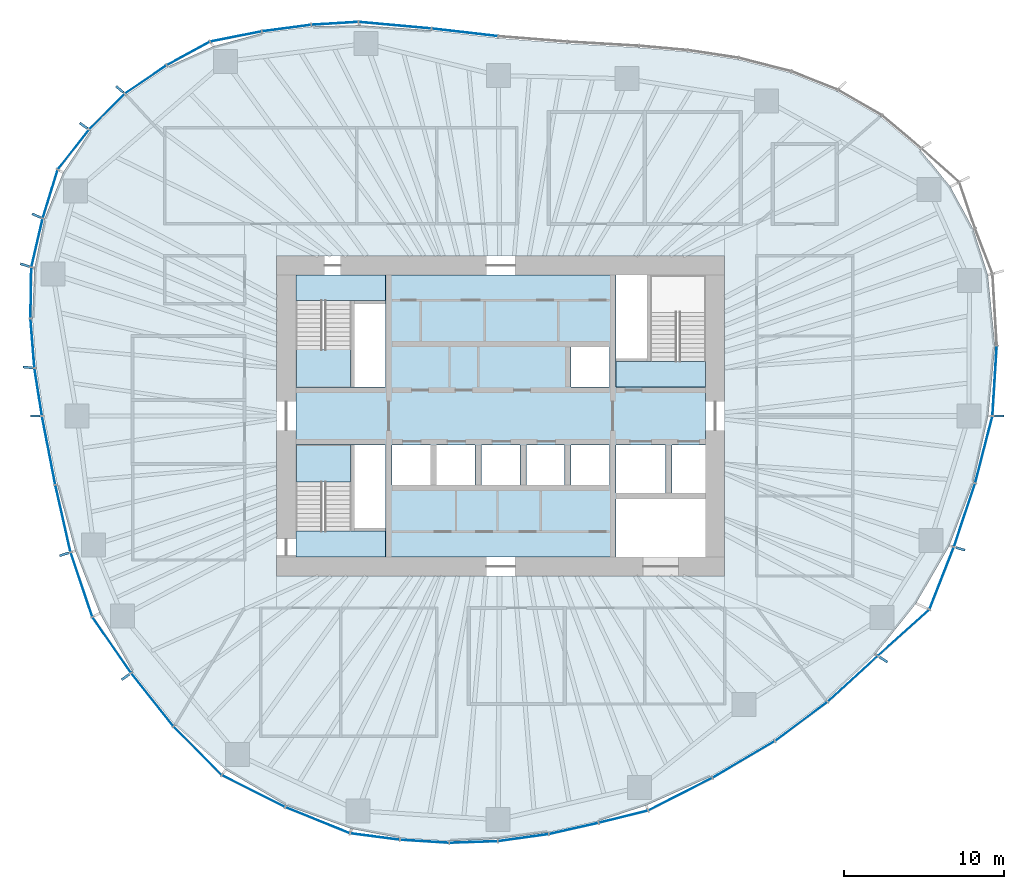
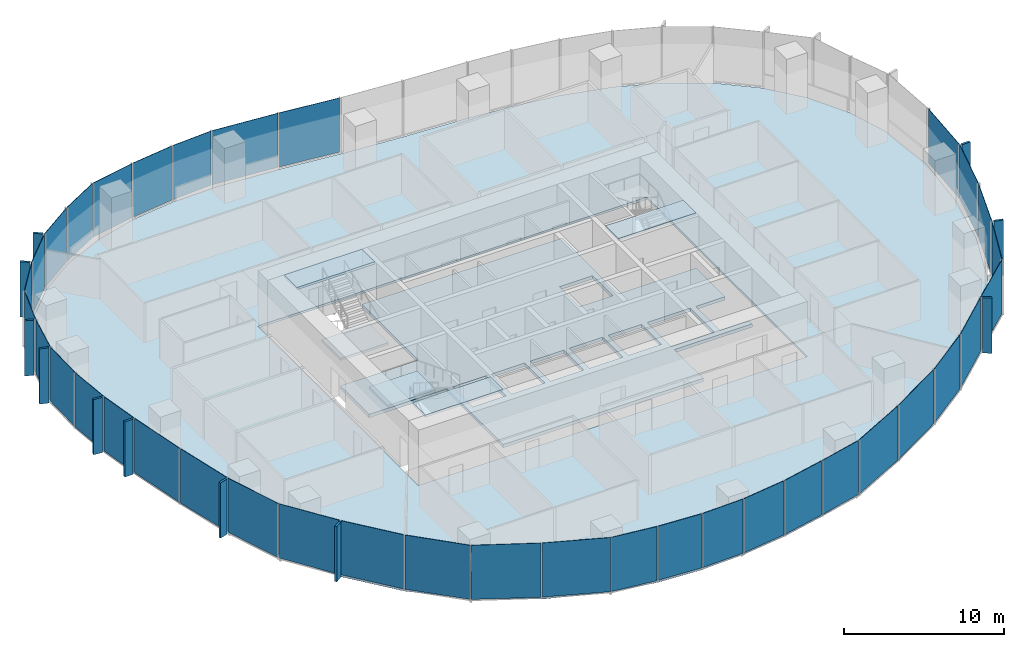
# One storey, part 7 of 18: 48 plates, 7 slabs, 19 elements without a shape of their own.
"""IFC4 building model written with IfcOpenShell, lengths in metres."""

import ifcopenshell
import ifcopenshell.guid

model = None  # the IFC model being written
_history = None  # IfcOwnerHistory: only IFC2X3 demands one
_inside = {}  # id of a spatial element -> (the spatial element, [elements in it])
_under = {}  # id of a project, library or spatial element -> (it, [spatial elements below it])
_declared = {}  # id of a project -> (the project, [libraries it declares])
_typed = {}  # id of a type object -> (the type object, [elements of that type])
_made_of = {}  # id of a material, layer set ... -> (it, [elements and type objects made of it])


def new_model(schema):
    """Start an empty IFC model of exactly this schema.

    Asked for "IFC4X3", IfcOpenShell would pick the latest addendum, in which some entities
    have other attributes; the version numbers below select the first issue.
    IFC2X3 requires an IfcOwnerHistory on every rooted entity: one is made here for all.
    """
    global model, _history
    if schema == "IFC4X3":
        model = ifcopenshell.file(schema_version=(4, 3, 0, 0))
    else:
        model = ifcopenshell.file(schema=schema)
    _inside.clear()
    _under.clear()
    _declared.clear()
    _typed.clear()
    _made_of.clear()
    _history = None
    if model.schema == "IFC2X3":
        org = make("IfcOrganization", Name="unknown")
        user = make(
            "IfcPersonAndOrganization",
            ThePerson=make("IfcPerson", FamilyName="unknown"),
            TheOrganization=org,
        )
        app = make(
            "IfcApplication",
            ApplicationDeveloper=org,
            Version="unknown",
            ApplicationFullName="unknown",
            ApplicationIdentifier="unknown",
        )
        _history = make(
            "IfcOwnerHistory",
            OwningUser=user,
            OwningApplication=app,
            ChangeAction="ADDED",
            CreationDate=0,
        )
    return model


def make(cls, **values):
    """One entity of the class cls with the attributes given. An attribute that is None is left unset."""
    return model.create_entity(
        cls, **{name: value for name, value in values.items() if value is not None}
    )


def rooted(cls, **values):
    """An entity with a GlobalId (a new one), such as an element, a storey or a relation."""
    return make(cls, GlobalId=ifcopenshell.guid.new(), OwnerHistory=_history, **values)


def si_unit(unit_type, name, prefix=None):
    """IfcSIUnit, for example si_unit("LENGTHUNIT", "METRE", prefix="MILLI")."""
    return make("IfcSIUnit", UnitType=unit_type, Prefix=prefix, Name=name)


def assignment(units):
    """IfcUnitAssignment: the units of a project."""
    return None if units is None else make("IfcUnitAssignment", Units=units)


def point(xyz):
    """IfcCartesianPoint."""
    return None if xyz is None else make("IfcCartesianPoint", Coordinates=xyz)


def direction(xyz):
    """IfcDirection."""
    return None if xyz is None else make("IfcDirection", DirectionRatios=xyz)


def frame(location, z_axis=None, x_axis=None):
    """IfcAxis2Placement3D, a coordinate frame: its origin and axes. An axis left out is left unset."""
    return make(
        "IfcAxis2Placement3D",
        Location=point(location),
        Axis=direction(z_axis),
        RefDirection=direction(x_axis),
    )


def frame_2d(location, x_axis=None):
    """IfcAxis2Placement2D, a coordinate frame in the plane: its origin and x axis."""
    return make(
        "IfcAxis2Placement2D", Location=point(location), RefDirection=direction(x_axis)
    )


def origin():
    """The frame at (0, 0, 0) with its axes left unset."""
    return frame((0.0, 0.0, 0.0))


def origin_2d():
    """The frame at (0, 0) in the plane with its x axis left unset."""
    return frame_2d((0.0, 0.0))


def place(relative_to, where):
    """IfcLocalPlacement: puts the frame where relative to a parent placement (None: the world)."""
    return make(
        "IfcLocalPlacement", PlacementRelTo=relative_to, RelativePlacement=where
    )


def context(
    kind, dimensions, precision=None, world=None, true_north=None, identifier=None
):
    """IfcGeometricRepresentationContext, for example the 3D "Model" context."""
    return make(
        "IfcGeometricRepresentationContext",
        ContextIdentifier=identifier,
        ContextType=kind,
        CoordinateSpaceDimension=dimensions,
        Precision=precision,
        WorldCoordinateSystem=world,
        TrueNorth=true_north,
    )


def subcontext(parent, identifier, kind, view, scale=None):
    """IfcGeometricRepresentationSubContext, for example "Body" below "Model"."""
    return make(
        "IfcGeometricRepresentationSubContext",
        ContextIdentifier=identifier,
        ContextType=kind,
        ParentContext=parent,
        TargetScale=scale,
        TargetView=view,
    )


def project(units=None, contexts=None):
    """IfcProject with its units and contexts."""
    return rooted(
        "IfcProject",
        Name="project",
        RepresentationContexts=contexts,
        UnitsInContext=assignment(units),
    )


def spatial(cls, under=None, at=None, **own):
    """A site, building, storey or space (cls), placed at a placement, below another one or the project."""
    s = rooted(cls, ObjectPlacement=at, **own)
    if under is not None:
        _under.setdefault(under.id(), (under, []))[1].append(s)
    return s


def polyline(points):
    """IfcPolyline through the points."""
    return make("IfcPolyline", Points=[point(p) for p in points])


def profile(cls, at=None, kind="AREA", **sizes):
    """A parametric profile (cls). Its sizes go by their IFC names, for example OverallWidth=200.0."""
    return make(cls, ProfileType=kind, Position=at, **sizes)


def rectangle(**sizes):
    """IfcRectangleProfileDef."""
    return profile("IfcRectangleProfileDef", **sizes)


def outline(outer, holes=None, kind="AREA"):
    """IfcArbitraryClosedProfileDef: a profile drawn as a closed curve; with holes, ...WithVoids."""
    if holes is None:
        return make("IfcArbitraryClosedProfileDef", ProfileType=kind, OuterCurve=outer)
    return make(
        "IfcArbitraryProfileDefWithVoids",
        ProfileType=kind,
        OuterCurve=outer,
        InnerCurves=holes,
    )


def extrude(swept, where, along, depth):
    """IfcExtrudedAreaSolid: the profile swept, set in the frame where, extruded along a direction by depth."""
    return make(
        "IfcExtrudedAreaSolid",
        SweptArea=swept,
        Position=where,
        ExtrudedDirection=direction(along),
        Depth=depth,
    )


def shape(context_of_items, identifier, shape_type, items):
    """IfcShapeRepresentation: the items that make up one representation, for example the "Body"."""
    return make(
        "IfcShapeRepresentation",
        ContextOfItems=context_of_items,
        RepresentationIdentifier=identifier,
        RepresentationType=shape_type,
        Items=items,
    )


def material(Name=None, Category=None):
    """IfcMaterial."""
    return make("IfcMaterial", Name=Name, Category=Category)


def layer(
    of_material, thickness, ventilated=None, Name=None, Category=None, Priority=None
):
    """IfcMaterialLayer: one layer of a wall or slab, of a material (None: an air gap)."""
    return make(
        "IfcMaterialLayer",
        Material=of_material,
        LayerThickness=thickness,
        IsVentilated=ventilated,
        Name=Name,
        Category=Category,
        Priority=Priority,
    )


def layer_set(layers, Name=None):
    """IfcMaterialLayerSet."""
    return make("IfcMaterialLayerSet", MaterialLayers=layers, LayerSetName=Name)


def made_of(thing, what):
    """Note that an element or type object is made of a material, layer set ...; save() writes the relation."""
    if what is not None:
        _made_of.setdefault(what.id(), (what, []))[1].append(thing)
    return thing


def type_object(cls, material=None, **own):
    """A type object (cls), such as IfcWallType, which elements share."""
    return made_of(rooted(cls, **own), material)


def element(
    cls,
    number,
    at=None,
    inside=None,
    cuts=None,
    type_object=None,
    material=None,
    context=None,
    identifier="Body",
    shape_type=None,
    held_by="IfcProductDefinitionShape",
    body=None,
    shapes=None,
    **own,
):
    """One element of the class cls, such as IfcWall. Its Tag is "e" and its number.

    at: its placement. inside: the storey or other place that contains it. cuts: it is an
    opening in that element (IfcRelVoidsElement). A single representation is given by context,
    identifier, shape_type and body (its items); several are given by shapes. held_by: the class
    of the entity that holds the representations. save() writes the other relations.
    """
    e = rooted(cls, Tag="e%d" % number, ObjectPlacement=at, **own)
    if body is not None:
        shapes = [shape(context, identifier, shape_type, body)]
    if shapes is not None:
        e.Representation = make(held_by, Representations=shapes)
    if inside is not None:
        _inside.setdefault(inside.id(), (inside, []))[1].append(e)
    if cuts is not None:
        rooted(
            "IfcRelVoidsElement", RelatingBuildingElement=cuts, RelatedOpeningElement=e
        )
    if type_object is not None:
        _typed.setdefault(type_object.id(), (type_object, []))[1].append(e)
    return made_of(e, material)


def aggregate(whole, parts):
    """IfcRelAggregates: a whole, such as a stair, and the parts it consists of."""
    return rooted("IfcRelAggregates", RelatingObject=whole, RelatedObjects=parts)


def save(model, path):
    """Write the relations noted so far, then the file.

    IfcRelAggregates (storeys below a building ...), IfcRelContainedInSpatialStructure (elements
    in a storey), IfcRelDefinesByType, IfcRelAssociatesMaterial and IfcRelDeclares: one each for
    every whole, place, type object, material and project.
    """
    for whole, parts in _under.values():
        aggregate(whole, parts)
    for where, things in _inside.values():
        rooted(
            "IfcRelContainedInSpatialStructure",
            RelatedElements=things,
            RelatingStructure=where,
        )
    for kind, things in _typed.values():
        rooted("IfcRelDefinesByType", RelatedObjects=things, RelatingType=kind)
    for what, things in _made_of.values():
        rooted("IfcRelAssociatesMaterial", RelatedObjects=things, RelatingMaterial=what)
    for by, libraries in _declared.values():
        rooted("IfcRelDeclares", RelatingContext=by, RelatedDefinitions=libraries)
    model.write(path)


model = new_model("IFC4")

# Units and contexts
model_context = context("Model", 3, precision=1e-05, world=origin(), true_north=direction((0.0, 1.0)))
body_context = subcontext(model_context, "Body", "Model", "MODEL_VIEW")
ifc_project = project(units=[si_unit("LENGTHUNIT", "METRE"), si_unit("AREAUNIT", "SQUARE_METRE"), si_unit("VOLUMEUNIT", "CUBIC_METRE"), si_unit("PLANEANGLEUNIT", "RADIAN"), si_unit("MASSUNIT", "GRAM", prefix="KILO")], contexts=[model_context])

# Site, building, storey
site_placement = place(None, origin())
site = spatial("IfcSite", under=ifc_project, at=site_placement, CompositionType="ELEMENT")
building_placement = place(site_placement, origin())
building = spatial("IfcBuilding", under=site, at=building_placement, Name="Ghaith Harvest Tower", CompositionType="ELEMENT")
storey_placement = place(building_placement, frame((0.0, 0.0, 130.199951171875)))
storey = spatial("IfcBuildingStorey", under=building, at=storey_placement, Name="L27", CompositionType="ELEMENT", Elevation=130.199951171875)

# Curtain wall, plate
ifc_material_1 = material(Name="Black anodised aluminium and fritted glass", Category="aluminium")
curtain_wall_type = type_object("IfcCurtainWallType", Name="CW-L CURTAIN WALL", PredefinedType="NOTDEFINED", material=ifc_material_1)
curtain_wall_1_placement = place(storey_placement, origin())
curtain_wall_1 = element("IfcCurtainWall", 1, at=curtain_wall_1_placement, inside=storey, type_object=curtain_wall_type, Name="Curtain wall CW-L bay 01 L27", PredefinedType="NOTDEFINED")
ifc_material_2 = material(Name="Glass, dark solar-control fritted double glazed unit", Category="glass")
ifc_layer_1 = layer(ifc_material_2, 0.031982421875)
ifc_layer_set_1 = layer_set([ifc_layer_1], Name="CW-L VISION PANEL")
plate_type_1 = type_object("IfcPlateType", Name="CW-L VISION PANEL", PredefinedType="CURTAIN_PANEL", material=ifc_layer_set_1)
plate_1_placement = place(storey_placement, frame((30.86376953125, 2.19482421875, 0.080078125), z_axis=(0.0, 0.0, 1.0), x_axis=(0.061379619468, 0.99811449359, 0.0)))
plate_1 = element("IfcPlate", 2, at=plate_1_placement, type_object=plate_type_1, Name="CW-L glass unit 1 bay 01 L27", PredefinedType="CURTAIN_PANEL", context=body_context, shape_type="SweptSolid", body=[
    extrude(rectangle(XDim=4.318115234375, YDim=0.031982421875, at=origin_2d()), origin(), (0.0, 0.0, 1.0), 4.1201171875),
])
aggregate(curtain_wall_1, [plate_1])

# Curtain wall, plates
curtain_wall_2_placement = place(storey_placement, origin())
curtain_wall_2 = element("IfcCurtainWall", 3, at=curtain_wall_2_placement, inside=storey, type_object=curtain_wall_type, Name="Curtain wall CW-L bay 06 L27", PredefinedType="NOTDEFINED")
plate_2_placement = place(storey_placement, frame((-2.24267578125, 23.968505859375, 0.080078125), z_axis=(0.0, 0.0, 1.0), x_axis=(-0.993477024646, 0.114032458099, 0.0)))
plate_2 = element("IfcPlate", 4, at=plate_2_placement, type_object=plate_type_1, Name="CW-L glass unit 1 bay 06 L27", PredefinedType="CURTAIN_PANEL", context=body_context, shape_type="SweptSolid", body=[
    extrude(rectangle(XDim=4.10791015625, YDim=0.031982421875, at=origin_2d()), origin(), (0.0, 0.0, 1.0), 4.1201171875),
])
plate_3_placement = place(storey_placement, frame((-6.607666015625, 24.4140625, 0.080078125), z_axis=(0.0, 0.0, 1.0), x_axis=(-0.995928776302, 0.090143621701, 0.0)))
plate_3 = element("IfcPlate", 5, at=plate_3_placement, type_object=plate_type_1, Name="CW-L glass unit 2 bay 06 L27", PredefinedType="CURTAIN_PANEL", context=body_context, shape_type="SweptSolid", body=[
    extrude(rectangle(XDim=4.508056640625, YDim=0.031982421875, at=origin_2d()), origin(), (0.0, 0.0, 1.0), 4.1201171875),
])
aggregate(curtain_wall_2, [plate_2, plate_3])

curtain_wall_3_placement = place(storey_placement, origin())
curtain_wall_3 = element("IfcCurtainWall", 6, at=curtain_wall_3_placement, inside=storey, type_object=curtain_wall_type, Name="Curtain wall CW-L bay 07 L27", PredefinedType="NOTDEFINED")
plate_4_placement = place(storey_placement, frame((-10.36669921875, 24.5302734375, 0.080078125), z_axis=(0.0, 0.0, 1.0), x_axis=(-0.998119199641, -0.061303044853, 0.0)))
plate_4 = element("IfcPlate", 7, at=plate_4_placement, type_object=plate_type_1, Name="CW-L glass unit 1 bay 07 L27", PredefinedType="CURTAIN_PANEL", context=body_context, shape_type="SweptSolid", body=[
    extrude(rectangle(XDim=2.874267578125, YDim=0.031982421875, at=origin_2d()), origin(), (0.0, 0.0, 1.0), 4.1201171875),
])
plate_5_placement = place(storey_placement, frame((-13.382568359375, 24.23486328125, 0.080078125), z_axis=(0.0, 0.0, 1.0), x_axis=(-0.991285895369, -0.131728029071, 0.0)))
plate_5 = element("IfcPlate", 8, at=plate_5_placement, type_object=plate_type_1, Name="CW-L glass unit 2 bay 07 L27", PredefinedType="CURTAIN_PANEL", context=body_context, shape_type="SweptSolid", body=[
    extrude(rectangle(XDim=3.02978515625, YDim=0.031982421875, at=origin_2d()), origin(), (0.0, 0.0, 1.0), 4.1201171875),
])
plate_6_placement = place(storey_placement, frame((-16.54443359375, 23.7099609375, 0.080078125), z_axis=(0.0, 0.0, 1.0), x_axis=(-0.981037550101, -0.193817763096, 0.0)))
plate_6 = element("IfcPlate", 9, at=plate_6_placement, type_object=plate_type_1, Name="CW-L glass unit 3 bay 07 L27", PredefinedType="CURTAIN_PANEL", context=body_context, shape_type="SweptSolid", body=[
    extrude(rectangle(XDim=3.22412109375, YDim=0.031982421875, at=origin_2d()), origin(), (0.0, 0.0, 1.0), 4.1201171875),
])
aggregate(curtain_wall_3, [plate_4, plate_5, plate_6])

curtain_wall_4_placement = place(storey_placement, origin())
curtain_wall_4 = element("IfcCurtainWall", 10, at=curtain_wall_4_placement, inside=storey, type_object=curtain_wall_type, Name="Curtain wall CW-L bay 08 L27", PredefinedType="NOTDEFINED")
plate_7_placement = place(storey_placement, frame((-19.520263671875, 22.650634765625, 0.080078125), z_axis=(0.0, 0.0, 1.0), x_axis=(-0.877940384665, -0.478769966659, 0.0)))
plate_7 = element("IfcPlate", 11, at=plate_7_placement, type_object=plate_type_1, Name="CW-L glass unit 1 bay 08 L27", PredefinedType="CURTAIN_PANEL", context=body_context, shape_type="SweptSolid", body=[
    extrude(rectangle(XDim=3.007080078125, YDim=0.031982421875, at=origin_2d()), origin(), (0.0, 0.0, 1.0), 4.1201171875),
])
plate_8_placement = place(storey_placement, frame((-22.182373046875, 21.025390625, 0.080078125), z_axis=(0.0, 0.0, 1.0), x_axis=(-0.827674847773, -0.561207935051, 0.0)))
plate_8 = element("IfcPlate", 12, at=plate_8_placement, type_object=plate_type_1, Name="CW-L glass unit 2 bay 08 L27", PredefinedType="CURTAIN_PANEL", context=body_context, shape_type="SweptSolid", body=[
    extrude(rectangle(XDim=3.078369140625, YDim=0.031982421875, at=origin_2d()), origin(), (0.0, 0.0, 1.0), 4.1201171875),
])
plate_9_placement = place(storey_placement, frame((-24.603759765625, 19.01708984375, 0.080078125), z_axis=(0.0, 0.0, 1.0), x_axis=(-0.704613943896, -0.709590861037, 0.0)))
plate_9 = element("IfcPlate", 13, at=plate_9_placement, type_object=plate_type_1, Name="CW-L glass unit 3 bay 08 L27", PredefinedType="CURTAIN_PANEL", context=body_context, shape_type="SweptSolid", body=[
    extrude(rectangle(XDim=3.0830078125, YDim=0.031982421875, at=origin_2d()), origin(), (0.0, 0.0, 1.0), 4.1201171875),
])
aggregate(curtain_wall_4, [plate_7, plate_8, plate_9])

curtain_wall_5_placement = place(storey_placement, origin())
curtain_wall_5 = element("IfcCurtainWall", 14, at=curtain_wall_5_placement, inside=storey, type_object=curtain_wall_type, Name="Curtain wall CW-L bay 09 L27", PredefinedType="NOTDEFINED")
plate_10_placement = place(storey_placement, frame((-26.69873046875, 16.644775390625, 0.080078125), z_axis=(0.0, 0.0, 1.0), x_axis=(-0.617140806324, -0.786852734106, 0.0)))
plate_10 = element("IfcPlate", 15, at=plate_10_placement, type_object=plate_type_1, Name="CW-L glass unit 1 bay 09 L27", PredefinedType="CURTAIN_PANEL", context=body_context, shape_type="SweptSolid", body=[
    extrude(rectangle(XDim=3.09765625, YDim=0.031982421875, at=origin_2d()), origin(), (0.0, 0.0, 1.0), 4.1201171875),
])
plate_11_placement = place(storey_placement, frame((-28.14794921875, 13.869140625, 0.080078125), z_axis=(0.0, 0.0, 1.0), x_axis=(-0.293802674087, -0.955866093498, 0.0)))
plate_11 = element("IfcPlate", 16, at=plate_11_placement, type_object=plate_type_1, Name="CW-L glass unit 2 bay 09 L27", PredefinedType="CURTAIN_PANEL", context=body_context, shape_type="SweptSolid", body=[
    extrude(rectangle(XDim=3.111328125, YDim=0.031982421875, at=origin_2d()), origin(), (0.0, 0.0, 1.0), 4.1201171875),
])
plate_12_placement = place(storey_placement, frame((-28.9716796875, 10.819091796875, 0.080078125), z_axis=(0.0, 0.0, 1.0), x_axis=(-0.226698962458, -0.973964876379, 0.0)))
plate_12 = element("IfcPlate", 17, at=plate_12_placement, type_object=plate_type_1, Name="CW-L glass unit 3 bay 09 L27", PredefinedType="CURTAIN_PANEL", context=body_context, shape_type="SweptSolid", body=[
    extrude(rectangle(XDim=3.05126953125, YDim=0.031982421875, at=origin_2d()), origin(), (0.0, 0.0, 1.0), 4.1201171875),
])
aggregate(curtain_wall_5, [plate_10, plate_11, plate_12])

curtain_wall_6_placement = place(storey_placement, origin())
curtain_wall_6 = element("IfcCurtainWall", 18, at=curtain_wall_6_placement, inside=storey, type_object=curtain_wall_type, Name="Curtain wall CW-L bay 10 L27", PredefinedType="NOTDEFINED")
plate_13_placement = place(storey_placement, frame((-29.352294921875, 7.695068359375, 0.080078125), z_axis=(0.0, 0.0, 1.0), x_axis=(-0.016034106433, -0.999871445452, 0.0)))
plate_13 = element("IfcPlate", 19, at=plate_13_placement, type_object=plate_type_1, Name="CW-L glass unit 1 bay 10 L27", PredefinedType="CURTAIN_PANEL", context=body_context, shape_type="SweptSolid", body=[
    extrude(rectangle(XDim=3.118408203125, YDim=0.031982421875, at=origin_2d()), origin(), (0.0, 0.0, 1.0), 4.1201171875),
])
plate_14_placement = place(storey_placement, frame((-29.25439453125, 4.54345703125, 0.080078125), z_axis=(0.0, 0.0, 1.0), x_axis=(0.079273335663, -0.996852917061, 0.0)))
plate_14 = element("IfcPlate", 20, at=plate_14_placement, type_object=plate_type_1, Name="CW-L glass unit 2 bay 10 L27", PredefinedType="CURTAIN_PANEL", context=body_context, shape_type="SweptSolid", body=[
    extrude(rectangle(XDim=3.035400390625, YDim=0.031982421875, at=origin_2d()), origin(), (0.0, 0.0, 1.0), 4.1201171875),
])
plate_15_placement = place(storey_placement, frame((-28.896240234375, 1.495361328125, 0.080078125), z_axis=(0.0, 0.0, 1.0), x_axis=(0.155172175389, -0.987887440949, 0.0)))
plate_15 = element("IfcPlate", 21, at=plate_15_placement, type_object=plate_type_1, Name="CW-L glass unit 3 bay 10 L27", PredefinedType="CURTAIN_PANEL", context=body_context, shape_type="SweptSolid", body=[
    extrude(rectangle(XDim=2.947265625, YDim=0.031982421875, at=origin_2d()), origin(), (0.0, 0.0, 1.0), 4.1201171875),
])
aggregate(curtain_wall_6, [plate_13, plate_14, plate_15])

curtain_wall_7_placement = place(storey_placement, origin())
curtain_wall_7 = element("IfcCurtainWall", 22, at=curtain_wall_7_placement, inside=storey, type_object=curtain_wall_type, Name="Curtain wall CW-L bay 11 L27", PredefinedType="NOTDEFINED")
plate_16_placement = place(storey_placement, frame((-28.24462890625, -2.152099609375, 0.080078125), z_axis=(0.0, 0.0, 1.0), x_axis=(0.190044913274, -0.981775397399, 0.0)))
plate_16 = element("IfcPlate", 23, at=plate_16_placement, type_object=plate_type_1, Name="CW-L glass unit 1 bay 11 L27", PredefinedType="CURTAIN_PANEL", context=body_context, shape_type="SweptSolid", body=[
    extrude(rectangle(XDim=4.303955078125, YDim=0.031982421875, at=origin_2d()), origin(), (0.0, 0.0, 1.0), 4.1201171875),
])
plate_17_placement = place(storey_placement, frame((-27.351806640625, -6.41064453125, 0.080078125), z_axis=(0.0, 0.0, 1.0), x_axis=(0.220483469245, -0.975390711351, 0.0)))
plate_17 = element("IfcPlate", 24, at=plate_17_placement, type_object=plate_type_1, Name="CW-L glass unit 2 bay 11 L27", PredefinedType="CURTAIN_PANEL", context=body_context, shape_type="SweptSolid", body=[
    extrude(rectangle(XDim=4.239501953125, YDim=0.031982421875, at=origin_2d()), origin(), (0.0, 0.0, 1.0), 4.1201171875),
])
aggregate(curtain_wall_7, [plate_16, plate_17])

curtain_wall_8_placement = place(storey_placement, origin())
curtain_wall_8 = element("IfcCurtainWall", 25, at=curtain_wall_8_placement, inside=storey, type_object=curtain_wall_type, Name="Curtain wall CW-L bay 12 L27", PredefinedType="NOTDEFINED")
plate_18_placement = place(storey_placement, frame((-26.194580078125, -10.537841796875, 0.080078125), z_axis=(0.0, 0.0, 1.0), x_axis=(0.319477383729, -0.947593901039, 0.0)))
plate_18 = element("IfcPlate", 26, at=plate_18_placement, type_object=plate_type_1, Name="CW-L glass unit 1 bay 12 L27", PredefinedType="CURTAIN_PANEL", context=body_context, shape_type="SweptSolid", body=[
    extrude(rectangle(XDim=4.184326171875, YDim=0.031982421875, at=origin_2d()), origin(), (0.0, 0.0, 1.0), 4.1201171875),
])
plate_19_placement = place(storey_placement, frame((-24.3017578125, -14.312255859375, 0.080078125), z_axis=(0.0, 0.0, 1.0), x_axis=(0.568347699633, -0.822788485774, 0.0)))
plate_19 = element("IfcPlate", 27, at=plate_19_placement, type_object=plate_type_1, Name="CW-L glass unit 2 bay 12 L27", PredefinedType="CURTAIN_PANEL", context=body_context, shape_type="SweptSolid", body=[
    extrude(rectangle(XDim=4.18359375, YDim=0.031982421875, at=origin_2d()), origin(), (0.0, 0.0, 1.0), 4.1201171875),
])
aggregate(curtain_wall_8, [plate_18, plate_19])

curtain_wall_9_placement = place(storey_placement, origin())
curtain_wall_9 = element("IfcCurtainWall", 28, at=curtain_wall_9_placement, inside=storey, type_object=curtain_wall_type, Name="Curtain wall CW-L bay 13 L27", PredefinedType="NOTDEFINED")
plate_20_placement = place(storey_placement, frame((-21.765625, -17.7314453125, 0.080078125), z_axis=(0.0, 0.0, 1.0), x_axis=(0.622507360482, -0.782613944513, 0.0)))
plate_20 = element("IfcPlate", 29, at=plate_20_placement, type_object=plate_type_1, Name="CW-L glass unit 1 bay 13 L27", PredefinedType="CURTAIN_PANEL", context=body_context, shape_type="SweptSolid", body=[
    extrude(rectangle(XDim=4.175537109375, YDim=0.031982421875, at=origin_2d()), origin(), (0.0, 0.0, 1.0), 4.1201171875),
])
plate_21_placement = place(storey_placement, frame((-18.935791015625, -20.920166015625, 0.080078125), z_axis=(0.0, 0.0, 1.0), x_axis=(0.702843151286, -0.711344856375, 0.0)))
plate_21 = element("IfcPlate", 30, at=plate_21_placement, type_object=plate_type_1, Name="CW-L glass unit 2 bay 13 L27", PredefinedType="CURTAIN_PANEL", context=body_context, shape_type="SweptSolid", body=[
    extrude(rectangle(XDim=4.203369140625, YDim=0.031982421875, at=origin_2d()), origin(), (0.0, 0.0, 1.0), 4.1201171875),
])
aggregate(curtain_wall_9, [plate_20, plate_21])

curtain_wall_10_placement = place(storey_placement, origin())
curtain_wall_10 = element("IfcCurtainWall", 31, at=curtain_wall_10_placement, inside=storey, type_object=curtain_wall_type, Name="Curtain wall CW-L bay 14 L27", PredefinedType="NOTDEFINED")
plate_22_placement = place(storey_placement, frame((-15.44677734375, -23.443115234375, 0.080078125), z_axis=(0.0, 0.0, 1.0), x_axis=(0.893062297869, -0.449933030712, 0.0)))
plate_22 = element("IfcPlate", 32, at=plate_22_placement, type_object=plate_type_1, Name="CW-L glass unit 1 bay 14 L27", PredefinedType="CURTAIN_PANEL", context=body_context, shape_type="SweptSolid", body=[
    extrude(rectangle(XDim=4.362548828125, YDim=0.031982421875, at=origin_2d()), origin(), (0.0, 0.0, 1.0), 4.1201171875),
])
plate_23_placement = place(storey_placement, frame((-11.441162109375, -25.260498046875, 0.080078125), z_axis=(0.0, 0.0, 1.0), x_axis=(0.927002522537, -0.375055093567, 0.0)))
plate_23 = element("IfcPlate", 33, at=plate_23_placement, type_object=plate_type_1, Name="CW-L glass unit 2 bay 14 L27", PredefinedType="CURTAIN_PANEL", context=body_context, shape_type="SweptSolid", body=[
    extrude(rectangle(XDim=4.282470703125, YDim=0.031982421875, at=origin_2d()), origin(), (0.0, 0.0, 1.0), 4.1201171875),
])
aggregate(curtain_wall_10, [plate_22, plate_23])

curtain_wall_11_placement = place(storey_placement, origin())
curtain_wall_11 = element("IfcCurtainWall", 34, at=curtain_wall_11_placement, inside=storey, type_object=curtain_wall_type, Name="Curtain wall CW-L bay 15 L27", PredefinedType="NOTDEFINED")
plate_24_placement = place(storey_placement, frame((-7.856689453125, -26.281005859375, 0.080078125), z_axis=(0.0, 0.0, 1.0), x_axis=(0.99172348392, -0.128392100386, 0.0)))
plate_24 = element("IfcPlate", 35, at=plate_24_placement, type_object=plate_type_1, Name="CW-L glass unit 1 bay 15 L27", PredefinedType="CURTAIN_PANEL", context=body_context, shape_type="SweptSolid", body=[
    extrude(rectangle(XDim=3.07080078125, YDim=0.031982421875, at=origin_2d()), origin(), (0.0, 0.0, 1.0), 4.1201171875),
])
plate_25_placement = place(storey_placement, frame((-4.7568359375, -26.57958984375, 0.080078125), z_axis=(0.0, 0.0, 1.0), x_axis=(0.998038280843, -0.062606628824, 0.0)))
plate_25 = element("IfcPlate", 36, at=plate_25_placement, type_object=plate_type_1, Name="CW-L glass unit 2 bay 15 L27", PredefinedType="CURTAIN_PANEL", context=body_context, shape_type="SweptSolid", body=[
    extrude(rectangle(XDim=3.001220703125, YDim=0.031982421875, at=origin_2d()), origin(), (0.0, 0.0, 1.0), 4.1201171875),
])
plate_26_placement = place(storey_placement, frame((-1.700439453125, -26.624755859375, 0.080078125), z_axis=(0.0, 0.0, 1.0), x_axis=(0.999431515426, 0.033714180603, 0.0)))
plate_26 = element("IfcPlate", 37, at=plate_26_placement, type_object=plate_type_1, Name="CW-L glass unit 3 bay 15 L27", PredefinedType="CURTAIN_PANEL", context=body_context, shape_type="SweptSolid", body=[
    extrude(rectangle(XDim=2.958984375, YDim=0.031982421875, at=origin_2d()), origin(), (0.0, 0.0, 1.0), 4.1201171875),
])
aggregate(curtain_wall_11, [plate_24, plate_25, plate_26])

curtain_wall_12_placement = place(storey_placement, origin())
curtain_wall_12 = element("IfcCurtainWall", 38, at=curtain_wall_12_placement, inside=storey, type_object=curtain_wall_type, Name="Curtain wall CW-L bay 16 L27", PredefinedType="NOTDEFINED")
plate_27_placement = place(storey_placement, frame((1.4140625, -26.3515625, 0.080078125), z_axis=(0.0, 0.0, 1.0), x_axis=(0.990448098003, 0.137886058621, 0.0)))
plate_27 = element("IfcPlate", 39, at=plate_27_placement, type_object=plate_type_1, Name="CW-L glass unit 1 bay 16 L27", PredefinedType="CURTAIN_PANEL", context=body_context, shape_type="SweptSolid", body=[
    extrude(rectangle(XDim=3.142578125, YDim=0.031982421875, at=origin_2d()), origin(), (0.0, 0.0, 1.0), 4.1201171875),
])
plate_28_placement = place(storey_placement, frame((4.565185546875, -25.77734375, 0.080078125), z_axis=(0.0, 0.0, 1.0), x_axis=(0.975341754172, 0.220699937852, 0.0)))
plate_28 = element("IfcPlate", 40, at=plate_28_placement, type_object=plate_type_1, Name="CW-L glass unit 2 bay 16 L27", PredefinedType="CURTAIN_PANEL", context=body_context, shape_type="SweptSolid", body=[
    extrude(rectangle(XDim=3.10888671875, YDim=0.031982421875, at=origin_2d()), origin(), (0.0, 0.0, 1.0), 4.1201171875),
])
plate_29_placement = place(storey_placement, frame((7.66845703125, -25.0400390625, 0.080078125), z_axis=(0.0, 0.0, 1.0), x_axis=(0.970384283801, 0.241566433413, 0.0)))
plate_29 = element("IfcPlate", 41, at=plate_29_placement, type_object=plate_type_1, Name="CW-L glass unit 3 bay 16 L27", PredefinedType="CURTAIN_PANEL", context=body_context, shape_type="SweptSolid", body=[
    extrude(rectangle(XDim=3.111083984375, YDim=0.031982421875, at=origin_2d()), origin(), (0.0, 0.0, 1.0), 4.1201171875),
])
aggregate(curtain_wall_12, [plate_27, plate_28, plate_29])

curtain_wall_13_placement = place(storey_placement, origin())
curtain_wall_13 = element("IfcCurtainWall", 42, at=curtain_wall_13_placement, inside=storey, type_object=curtain_wall_type, Name="Curtain wall CW-L bay 17 L27", PredefinedType="NOTDEFINED")
plate_30_placement = place(storey_placement, frame((11.220703125, -23.63427734375, 0.080078125), z_axis=(0.0, 0.0, 1.0), x_axis=(0.891126766056, 0.453754434489, 0.0)))
plate_30 = element("IfcPlate", 43, at=plate_30_placement, type_object=plate_type_1, Name="CW-L glass unit 1 bay 17 L27", PredefinedType="CURTAIN_PANEL", context=body_context, shape_type="SweptSolid", body=[
    extrude(rectangle(XDim=4.417236328125, YDim=0.031982421875, at=origin_2d()), origin(), (0.0, 0.0, 1.0), 4.1201171875),
])
plate_31_placement = place(storey_placement, frame((15.17822265625, -21.46484375, 0.080078125), z_axis=(0.0, 0.0, 1.0), x_axis=(0.861979497965, 0.506943137924, 0.0)))
plate_31 = element("IfcPlate", 44, at=plate_31_placement, type_object=plate_type_1, Name="CW-L glass unit 2 bay 17 L27", PredefinedType="CURTAIN_PANEL", context=body_context, shape_type="SweptSolid", body=[
    extrude(rectangle(XDim=4.453125, YDim=0.031982421875, at=origin_2d()), origin(), (0.0, 0.0, 1.0), 4.1201171875),
])
aggregate(curtain_wall_13, [plate_30, plate_31])

curtain_wall_14_placement = place(storey_placement, origin())
curtain_wall_14 = element("IfcCurtainWall", 45, at=curtain_wall_14_placement, inside=storey, type_object=curtain_wall_type, Name="Curtain wall CW-L bay 18 L27", PredefinedType="NOTDEFINED")
plate_32_placement = place(storey_placement, frame((18.78076171875, -19.08984375, 0.080078125), z_axis=(0.0, 0.0, 1.0), x_axis=(0.802462370117, 0.596702727115, 0.0)))
plate_32 = element("IfcPlate", 46, at=plate_32_placement, type_object=plate_type_1, Name="CW-L glass unit 1 bay 18 L27", PredefinedType="CURTAIN_PANEL", context=body_context, shape_type="SweptSolid", body=[
    extrude(rectangle(XDim=4.029541015625, YDim=0.031982421875, at=origin_2d()), origin(), (0.0, 0.0, 1.0), 4.1201171875),
])
plate_33_placement = place(storey_placement, frame((21.9951171875, -16.428955078125, 0.080078125), z_axis=(0.0, 0.0, 1.0), x_axis=(0.737201663563, 0.675672781189, 0.0)))
plate_33 = element("IfcPlate", 47, at=plate_33_placement, type_object=plate_type_1, Name="CW-L glass unit 2 bay 18 L27", PredefinedType="CURTAIN_PANEL", context=body_context, shape_type="SweptSolid", body=[
    extrude(rectangle(XDim=4.1669921875, YDim=0.031982421875, at=origin_2d()), origin(), (0.0, 0.0, 1.0), 4.1201171875),
])
aggregate(curtain_wall_14, [plate_32, plate_33])

curtain_wall_15_placement = place(storey_placement, origin())
curtain_wall_15 = element("IfcCurtainWall", 48, at=curtain_wall_15_placement, inside=storey, type_object=curtain_wall_type, Name="Curtain wall CW-L bay 19 L27", PredefinedType="NOTDEFINED")
plate_34_placement = place(storey_placement, frame((25.17333984375, -13.54345703125, 0.080078125), z_axis=(0.0, 0.0, 1.0), x_axis=(0.743493028761, 0.668743684968, 0.0)))
plate_34 = element("IfcPlate", 49, at=plate_34_placement, type_object=plate_type_1, Name="CW-L glass unit 1 bay 19 L27", PredefinedType="CURTAIN_PANEL", context=body_context, shape_type="SweptSolid", body=[
    extrude(rectangle(XDim=4.2587890625, YDim=0.031982421875, at=origin_2d()), origin(), (0.0, 0.0, 1.0), 4.1201171875),
])
plate_35_placement = place(storey_placement, frame((27.552978515625, -10.138916015625, 0.080078125), z_axis=(0.0, 0.0, 1.0), x_axis=(0.365226458984, 0.930918704108, 0.0)))
plate_35 = element("IfcPlate", 50, at=plate_35_placement, type_object=plate_type_1, Name="CW-L glass unit 2 bay 19 L27", PredefinedType="CURTAIN_PANEL", context=body_context, shape_type="SweptSolid", body=[
    extrude(rectangle(XDim=4.11767578125, YDim=0.031982421875, at=origin_2d()), origin(), (0.0, 0.0, 1.0), 4.1201171875),
])
aggregate(curtain_wall_15, [plate_34, plate_35])

curtain_wall_16_placement = place(storey_placement, origin())
curtain_wall_16 = element("IfcCurtainWall", 51, at=curtain_wall_16_placement, inside=storey, type_object=curtain_wall_type, Name="Curtain wall CW-L bay 20 L27", PredefinedType="NOTDEFINED")
plate_36_placement = place(storey_placement, frame((28.982666015625, -6.191650390625, 0.080078125), z_axis=(0.0, 0.0, 1.0), x_axis=(0.315708038084, 0.948856382541, 0.0)))
plate_36 = element("IfcPlate", 52, at=plate_36_placement, type_object=plate_type_1, Name="CW-L glass unit 1 bay 20 L27", PredefinedType="CURTAIN_PANEL", context=body_context, shape_type="SweptSolid", body=[
    extrude(rectangle(XDim=4.12158203125, YDim=0.031982421875, at=origin_2d()), origin(), (0.0, 0.0, 1.0), 4.1201171875),
])
plate_37_placement = place(storey_placement, frame((30.187255859375, -2.09912109375, 0.080078125), z_axis=(0.0, 0.0, 1.0), x_axis=(0.24974411022, 0.968311870944, 0.0)))
plate_37 = element("IfcPlate", 53, at=plate_37_placement, type_object=plate_type_1, Name="CW-L glass unit 2 bay 20 L27", PredefinedType="CURTAIN_PANEL", context=body_context, shape_type="SweptSolid", body=[
    extrude(rectangle(XDim=4.255615234375, YDim=0.031982421875, at=origin_2d()), origin(), (0.0, 0.0, 1.0), 4.1201171875),
])
aggregate(curtain_wall_16, [plate_36, plate_37])

# Slabs
ifc_material_3 = material(Name="Concrete C40/50", Category="concrete")
ifc_layer_2 = layer(ifc_material_3, 0.169921875)
ifc_layer_set_2 = layer_set([ifc_layer_2], Name="FLOOR SLAB 170")
slab_type_1 = type_object("IfcSlabType", Name="FLOOR SLAB 170", PredefinedType="FLOOR", material=ifc_layer_set_2)
slab_1_placement = place(storey_placement, frame((0.0, 0.0, -0.169921875)))
element("IfcSlab", 54, at=slab_1_placement, inside=storey, type_object=slab_type_1, Name="Floor slab L27", PredefinedType="FLOOR", context=body_context, shape_type="SweptSolid", body=[
    extrude(outline(polyline([(30.458740234375, 0.0), (30.8798828125, 4.373046875), (30.439208984375, 8.797607421875), (29.52294921875, 11.671875), (28.0888671875, 14.32568359375), (26.179443359375, 16.660888671875), (23.7275390625, 18.718017578125), (20.97998046875, 20.3056640625), (18.0849609375, 21.4462890625), (14.79833984375, 22.27978515625), (11.617919921875, 22.757080078125), (8.604736328125, 23.017333984375), (4.125732421875, 23.272705078125), (-0.16162109375, 23.609619140625), (-4.302001953125, 24.089111328125), (-8.814208984375, 24.404541015625), (-11.788818359375, 24.331787109375), (-14.860595703125, 23.927978515625), (-17.938232421875, 23.097412109375), (-20.79248046875, 21.82470703125), (-23.398193359375, 20.06103515625), (-25.61962890625, 17.826416015625), (-27.33837890625, 15.204833984375), (-28.506591796875, 12.29638671875), (-29.12646484375, 9.230712890625), (-29.260498046875, 6.07177734375), (-29.01171875, 2.978271484375), (-28.541259765625, 0.0), (-27.70947265625, -4.285888671875), (-26.580078125, -8.423583984375), (-25.046875, -12.32861328125), (-22.99169921875, -15.997802734375), (-20.35400390625, -19.31396484375), (-17.1728515625, -22.11181640625), (-13.4052734375, -24.33740234375), (-9.317138671875, -25.79638671875), (-6.2666015625, -26.366455078125), (-3.204833984375, -26.556884765625), (-0.180908203125, -26.423583984375), (2.99609375, -26.010009765625), (6.09228515625, -25.308837890625), (9.09423828125, -24.326904296875), (13.163818359375, -22.510498046875), (17.054443359375, -20.22412109375), (20.33935546875, -17.784912109375), (23.400390625, -14.89208984375), (25.94775390625, -11.714111328125), (28.03125, -8.1015625), (29.527099609375, -4.181396484375), (30.458740234375, 0.0)]), holes=[polyline([(-14.0, -10.0), (14.0, -10.0), (14.0, 10.0), (-14.0, 10.0), (-14.0, -10.0)])]), origin(), (0.0, 0.0, 1.0), 0.169921875),
])
ifc_material_4 = material(Name="Concrete C40/50", Category="concrete")
ifc_layer_3 = layer(ifc_material_4, 0.25)
ifc_layer_set_3 = layer_set([ifc_layer_3], Name="FLOOR SLAB 250")
slab_type_2 = type_object("IfcSlabType", Name="FLOOR SLAB 250", PredefinedType="FLOOR", material=ifc_layer_set_3)
slab_2_placement = place(storey_placement, frame((0.0, 0.0, -0.25)))
element("IfcSlab", 55, at=slab_2_placement, inside=storey, type_object=slab_type_2, Name="Core slab L27", PredefinedType="FLOOR", context=body_context, shape_type="SweptSolid", body=[
    extrude(outline(polyline([(-12.800048828125, 1.800048828125), (-7.199951171875, 1.800048828125), (-7.199951171875, 8.800048828125), (7.199951171875, 8.800048828125), (7.199951171875, 1.800048828125), (12.800048828125, 1.800048828125), (12.800048828125, -1.800048828125), (10.699951171875, -1.800048828125), (10.699951171875, -4.800048828125), (12.800048828125, -4.800048828125), (12.800048828125, -5.199951171875), (7.199951171875, -5.199951171875), (7.199951171875, -8.800048828125), (-7.199951171875, -8.800048828125), (-7.199951171875, -1.800048828125), (-12.800048828125, -1.800048828125), (-12.800048828125, 1.800048828125)]), holes=[polyline([(-4.39990234375, -4.300048828125), (-4.39990234375, -1.800048828125), (-6.800048828125, -1.800048828125), (-6.800048828125, -4.300048828125), (-4.39990234375, -4.300048828125)]), polyline([(-1.60009765625, -4.300048828125), (-1.60009765625, -1.800048828125), (-4.0, -1.800048828125), (-4.0, -4.300048828125), (-1.60009765625, -4.300048828125)]), polyline([(1.199951171875, -1.800048828125), (-1.199951171875, -1.800048828125), (-1.199951171875, -4.300048828125), (1.199951171875, -4.300048828125), (1.199951171875, -1.800048828125)]), polyline([(4.0, -4.300048828125), (4.0, -1.800048828125), (1.60009765625, -1.800048828125), (1.60009765625, -4.300048828125), (4.0, -4.300048828125)]), polyline([(10.300048828125, -4.800048828125), (10.300048828125, -1.800048828125), (7.199951171875, -1.800048828125), (7.199951171875, -4.800048828125), (10.300048828125, -4.800048828125)]), polyline([(6.800048828125, -1.800048828125), (4.39990234375, -1.800048828125), (4.39990234375, -4.300048828125), (6.800048828125, -4.300048828125), (6.800048828125, -1.800048828125)]), polyline([(6.800048828125, 1.800048828125), (6.800048828125, 4.300048828125), (4.39990234375, 4.300048828125), (4.39990234375, 1.800048828125), (6.800048828125, 1.800048828125)])]), origin(), (0.0, 0.0, 1.0), 0.25),
])

# Stair, slabs
ifc_material_5 = material(Name="Concrete C40/50, precast", Category="concrete")
stair_type = type_object("IfcStairType", Name="CORE STAIR 24R", PredefinedType="HALF_TURN_STAIR", material=ifc_material_5)
stair_1_placement = place(storey_placement, origin())
stair_1 = element("IfcStair", 56, at=stair_1_placement, inside=storey, type_object=stair_type, Name="Stair ST1 L27", PredefinedType="HALF_TURN_STAIR")
ifc_material_6 = material(Name="Concrete C40/50, precast", Category="concrete")
ifc_layer_4 = layer(ifc_material_6, 0.179931640625)
ifc_layer_set_4 = layer_set([ifc_layer_4], Name="STAIR LANDING 180")
slab_type_3 = type_object("IfcSlabType", Name="STAIR LANDING 180", PredefinedType="LANDING", material=ifc_layer_set_4)
slab_3_placement = place(storey_placement, frame((0.0, 0.0, 1.920166015625)))
slab_3 = element("IfcSlab", 57, at=slab_3_placement, type_object=slab_type_3, Name="ST1 landing 1", PredefinedType="LANDING", context=body_context, shape_type="SweptSolid", body=[
    extrude(outline(polyline([(-12.800048828125, 4.139892578125), (-12.800048828125, 1.77490234375), (-9.35009765625, 1.77490234375), (-9.35009765625, 4.139892578125), (-12.800048828125, 4.139892578125)])), origin(), (0.0, 0.0, 1.0), 0.179931640625),
])
slab_4_placement = place(storey_placement, frame((0.0, 0.0, 4.02001953125)))
slab_4 = element("IfcSlab", 58, at=slab_4_placement, type_object=slab_type_3, Name="ST1 landing 2", PredefinedType="LANDING", context=body_context, shape_type="SweptSolid", body=[
    extrude(outline(polyline([(-12.800048828125, 8.800048828125), (-12.800048828125, 7.199951171875), (-7.199951171875, 7.199951171875), (-7.199951171875, 8.800048828125), (-12.800048828125, 8.800048828125)])), origin(), (0.0, 0.0, 1.0), 0.179931640625),
])
aggregate(stair_1, [slab_3, slab_4])

stair_2_placement = place(storey_placement, origin())
stair_2 = element("IfcStair", 59, at=stair_2_placement, inside=storey, type_object=stair_type, Name="Stair ST3 L27", PredefinedType="HALF_TURN_STAIR")
slab_5_placement = place(storey_placement, frame((0.0, 0.0, 1.920166015625)))
slab_5 = element("IfcSlab", 60, at=slab_5_placement, type_object=slab_type_3, Name="ST3 landing 1", PredefinedType="LANDING", context=body_context, shape_type="SweptSolid", body=[
    extrude(outline(polyline([(-12.800048828125, -4.139892578125), (-12.800048828125, -1.77490234375), (-9.35009765625, -1.77490234375), (-9.35009765625, -4.139892578125), (-12.800048828125, -4.139892578125)])), origin(), (0.0, 0.0, 1.0), 0.179931640625),
])
slab_6_placement = place(storey_placement, frame((0.0, 0.0, 4.02001953125)))
slab_6 = element("IfcSlab", 61, at=slab_6_placement, type_object=slab_type_3, Name="ST3 landing 2", PredefinedType="LANDING", context=body_context, shape_type="SweptSolid", body=[
    extrude(outline(polyline([(-12.800048828125, -8.800048828125), (-12.800048828125, -7.199951171875), (-7.199951171875, -7.199951171875), (-7.199951171875, -8.800048828125), (-12.800048828125, -8.800048828125)])), origin(), (0.0, 0.0, 1.0), 0.179931640625),
])
aggregate(stair_2, [slab_5, slab_6])

# Stair, slab
stair_3_placement = place(storey_placement, origin())
stair_3 = element("IfcStair", 62, at=stair_3_placement, inside=storey, type_object=stair_type, Name="Stair ST2 L27", PredefinedType="HALF_TURN_STAIR")
slab_7_placement = place(storey_placement, frame((0.0, 0.0, 4.02001953125)))
slab_7 = element("IfcSlab", 63, at=slab_7_placement, type_object=slab_type_3, Name="ST2 landing 2", PredefinedType="LANDING", context=body_context, shape_type="SweptSolid", body=[
    extrude(outline(polyline([(12.800048828125, 1.800048828125), (12.800048828125, 3.39990234375), (7.199951171875, 3.39990234375), (7.199951171875, 1.800048828125), (12.800048828125, 1.800048828125)])), origin(), (0.0, 0.0, 1.0), 0.179931640625),
])
aggregate(stair_3, [slab_7])

# Plates
ifc_material_7 = material(Name="Glassfibre-reinforced concrete", Category="concrete")
ifc_layer_5 = layer(ifc_material_7, 0.14990234375)
ifc_layer_set_5 = layer_set([ifc_layer_5], Name="SUN-BREAKER FIN 600x150")
plate_type_2 = type_object("IfcPlateType", Name="SUN-BREAKER FIN 600x150", PredefinedType="USERDEFINED", material=ifc_layer_set_5)
for number, where, z_axis, x_axis, name in (
    (64, (31.148681640625, 0.0, 0.0), (0.0, 0.0, 1.0), (1.0, 0.0, 0.0), "Sun-breaker fin CW-L 1 bay 01 L27"),
    (65, (-23.808349609375, 20.41259765625, 0.0), (0.0, 0.0, 1.0), (-0.759169742643, 0.650892696115, 0.0), "Sun-breaker fin CW-L 3 bay 08 L27"),
    (66, (-26.06298828125, 18.134765625, 0.0), (0.0, 0.0, 1.0), (-0.820845486523, 0.571150319316, 0.0), "Sun-breaker fin CW-L 1 bay 09 L27"),
    (67, (-29.00244140625, 12.51025390625, 0.0), (0.0, 0.0, 1.0), (-0.918217993215, 0.396075392995, 0.0), "Sun-breaker fin CW-L 3 bay 09 L27"),
    (68, (-29.72705078125, 9.4208984375, 0.0), (0.0, 0.0, 1.0), (-0.953273219358, 0.302109531884, 0.0), "Sun-breaker fin CW-L 1 bay 10 L27"),
    (69, (-29.548828125, 3.033447265625, 0.0), (0.0, 0.0, 1.0), (-0.994771752973, 0.102123256344, 0.0), "Sun-breaker fin CW-L 3 bay 10 L27"),
    (70, (-29.081298828125, 0.0, 0.0), (0.0, 0.0, 1.0), (-1.0, -4.19e-10, 0.0), "Sun-breaker fin CW-L 1 bay 11 L27"),
    (71, (-27.276123046875, -8.644287109375, 0.0), (0.0, 0.0, 1.0), (-0.953273219416, -0.302109531701, 0.0), "Sun-breaker fin CW-L 1 bay 12 L27"),
    (72, (-23.434814453125, -16.30615234375, 0.0), (0.0, 0.0, 1.0), (-0.820845486622, -0.571150319173, 0.0), "Sun-breaker fin CW-L 1 bay 13 L27"),
    (73, (23.914794921875, -15.2197265625, 0.0), (0.0, 0.0, 1.0), (0.84364397137, -0.536903016913, 0.0), "Sun-breaker fin CW-L 1 bay 19 L27"),
    (74, (28.722900390625, -8.301513671875, 0.0), (0.0, 0.0, 1.0), (0.960680349932, -0.277656739976, 0.0), "Sun-breaker fin CW-L 1 bay 20 L27"),
):
    element("IfcPlate", number, at=place(storey_placement, frame(where, z_axis=z_axis, x_axis=x_axis)), inside=storey, type_object=plate_type_2, Name=name, ObjectType="SUN-BREAKER FIN", PredefinedType="USERDEFINED", context=body_context, shape_type="SweptSolid", body=[
        extrude(rectangle(XDim=0.60009765625, YDim=0.14990234375, at=origin_2d()), origin(), (0.0, 0.0, 1.0), 4.199951171875),
    ])

save(model, "model.ifc")
